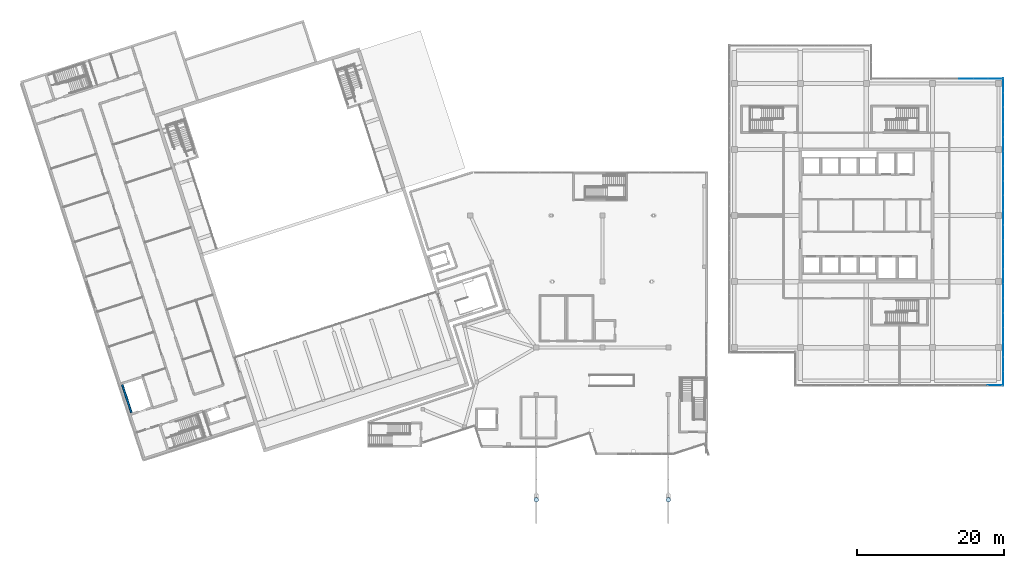
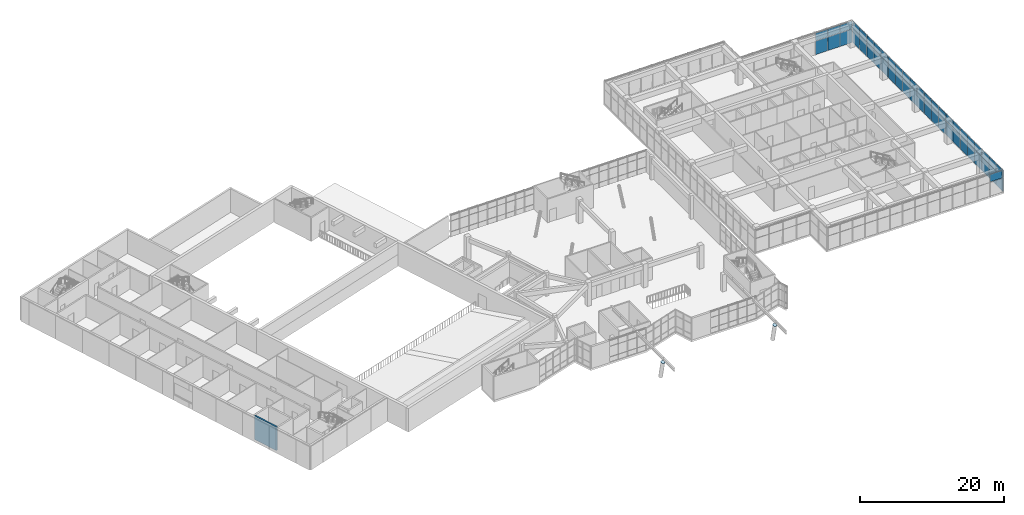
# One storey, part 52 of 65: 51 plates, 1 wall, 3 elements without a shape of their own.
"""IFC4 building model written with IfcOpenShell, lengths in metres."""

from ifc_helpers import new_model, si_unit, direction, frame, frame_2d, origin, origin_2d, place, context, subcontext, project, spatial, polyline, rectangle, outline, extrude, material, layer, layer_set, type_object, element, aggregate, save


model = new_model("IFC4")

# Units and contexts
model_context = context("Model", 3, precision=1e-05, world=origin(), true_north=direction((0.0, 1.0)))
body_context = subcontext(model_context, "Body", "Model", "MODEL_VIEW")
ifc_project = project(units=[si_unit("LENGTHUNIT", "METRE"), si_unit("AREAUNIT", "SQUARE_METRE"), si_unit("VOLUMEUNIT", "CUBIC_METRE"), si_unit("PLANEANGLEUNIT", "RADIAN"), si_unit("MASSUNIT", "GRAM", prefix="KILO")], contexts=[model_context])

# Site, building, storey
site_placement = place(None, origin())
site = spatial("IfcSite", under=ifc_project, at=site_placement, CompositionType="ELEMENT")
building_placement = place(site_placement, origin())
building = spatial("IfcBuilding", under=site, at=building_placement, Name="Tuart Plaza Theatre", CompositionType="ELEMENT")
storey_placement = place(building_placement, frame((0.0, 0.0, 9.5)))
storey = spatial("IfcBuildingStorey", under=building, at=storey_placement, Name="L02", CompositionType="ELEMENT", Elevation=9.5)

# Curtain wall, plate
ifc_material_1 = material(Name="Aluminium and glass", Category="aluminium")
ifc_layer_1 = layer(ifc_material_1, 0.10009765625)
ifc_layer_set_1 = layer_set([ifc_layer_1], Name="CURTAIN WALL 2000 module")
curtain_wall_type = type_object("IfcCurtainWallType", Name="CURTAIN WALL 2000 module", PredefinedType="NOTDEFINED", material=ifc_layer_set_1)
curtain_wall_1_placement = place(storey_placement, origin())
curtain_wall_1 = element("IfcCurtainWall", 1, at=curtain_wall_1_placement, inside=storey, type_object=curtain_wall_type, Name="CW68", PredefinedType="NOTDEFINED")
ifc_material_2 = material(Name="Glass", Category="glass")
ifc_layer_2 = layer(ifc_material_2, 0.028076171875)
ifc_layer_set_2 = layer_set([ifc_layer_2], Name="CURTAIN PANEL double glazed 28")
plate_type_1 = type_object("IfcPlateType", Name="CURTAIN PANEL double glazed 28", PredefinedType="CURTAIN_PANEL", material=ifc_layer_set_2)
plate_1_placement = place(storey_placement, frame((149.533935546875, 50.85009765625, 2.425048828125), z_axis=(0.0, 0.0, 1.0), x_axis=(1.0, 0.0, 0.0)))
plate_1 = element("IfcPlate", 2, at=plate_1_placement, type_object=plate_type_1, Name="CW68 panel 14.2", PredefinedType="CURTAIN_PANEL", context=body_context, shape_type="SweptSolid", body=[
    extrude(rectangle(XDim=1.93212890625, YDim=0.028076171875, at=origin_2d()), origin(), (0.0, 0.0, 1.0), 1.27490234375),
])
aggregate(curtain_wall_1, [plate_1])

# Curtain wall, plates
curtain_wall_2_placement = place(storey_placement, origin())
curtain_wall_2 = element("IfcCurtainWall", 3, at=curtain_wall_2_placement, inside=storey, type_object=curtain_wall_type, Name="CW69", PredefinedType="NOTDEFINED")
plate_2_placement = place(storey_placement, frame((150.64990234375, 51.762451171875, 0.0498046875), z_axis=(0.0, 0.0, 1.0), x_axis=(0.0, 1.0, 0.0)))
plate_2 = element("IfcPlate", 4, at=plate_2_placement, type_object=plate_type_1, Name="CW69 panel 1.1", PredefinedType="CURTAIN_PANEL", context=body_context, shape_type="SweptSolid", body=[
    extrude(rectangle(XDim=1.925048828125, YDim=0.028076171875, at=origin_2d()), origin(), (0.0, 0.0, 1.0), 2.324951171875),
])
plate_3_placement = place(storey_placement, frame((150.64990234375, 51.762451171875, 2.425048828125), z_axis=(0.0, 0.0, 1.0), x_axis=(0.0, 1.0, 0.0)))
plate_3 = element("IfcPlate", 5, at=plate_3_placement, type_object=plate_type_1, Name="CW69 panel 1.2", PredefinedType="CURTAIN_PANEL", context=body_context, shape_type="SweptSolid", body=[
    extrude(rectangle(XDim=1.925048828125, YDim=0.028076171875, at=origin_2d()), origin(), (0.0, 0.0, 1.0), 1.27490234375),
])
plate_4_placement = place(storey_placement, frame((150.64990234375, 53.75, 0.0498046875), z_axis=(0.0, 0.0, 1.0), x_axis=(0.0, 1.0, 0.0)))
plate_4 = element("IfcPlate", 6, at=plate_4_placement, type_object=plate_type_1, Name="CW69 panel 2.1", PredefinedType="CURTAIN_PANEL", context=body_context, shape_type="SweptSolid", body=[
    extrude(rectangle(XDim=1.949951171875, YDim=0.028076171875, at=origin_2d()), origin(), (0.0, 0.0, 1.0), 2.324951171875),
])
plate_5_placement = place(storey_placement, frame((150.64990234375, 53.75, 2.425048828125), z_axis=(0.0, 0.0, 1.0), x_axis=(0.0, 1.0, 0.0)))
plate_5 = element("IfcPlate", 7, at=plate_5_placement, type_object=plate_type_1, Name="CW69 panel 2.2", PredefinedType="CURTAIN_PANEL", context=body_context, shape_type="SweptSolid", body=[
    extrude(rectangle(XDim=1.949951171875, YDim=0.028076171875, at=origin_2d()), origin(), (0.0, 0.0, 1.0), 1.27490234375),
])
plate_6_placement = place(storey_placement, frame((150.64990234375, 55.75, 0.0498046875), z_axis=(0.0, 0.0, 1.0), x_axis=(0.0, 1.0, 0.0)))
plate_6 = element("IfcPlate", 8, at=plate_6_placement, type_object=plate_type_1, Name="CW69 panel 3.1", PredefinedType="CURTAIN_PANEL", context=body_context, shape_type="SweptSolid", body=[
    extrude(rectangle(XDim=1.949951171875, YDim=0.028076171875, at=origin_2d()), origin(), (0.0, 0.0, 1.0), 2.324951171875),
])
plate_7_placement = place(storey_placement, frame((150.64990234375, 55.75, 2.425048828125), z_axis=(0.0, 0.0, 1.0), x_axis=(0.0, 1.0, 0.0)))
plate_7 = element("IfcPlate", 9, at=plate_7_placement, type_object=plate_type_1, Name="CW69 panel 3.2", PredefinedType="CURTAIN_PANEL", context=body_context, shape_type="SweptSolid", body=[
    extrude(rectangle(XDim=1.949951171875, YDim=0.028076171875, at=origin_2d()), origin(), (0.0, 0.0, 1.0), 1.27490234375),
])
plate_8_placement = place(storey_placement, frame((150.64990234375, 57.75, 0.0498046875), z_axis=(0.0, 0.0, 1.0), x_axis=(0.0, 1.0, 0.0)))
plate_8 = element("IfcPlate", 10, at=plate_8_placement, type_object=plate_type_1, Name="CW69 panel 4.1", PredefinedType="CURTAIN_PANEL", context=body_context, shape_type="SweptSolid", body=[
    extrude(rectangle(XDim=1.949951171875, YDim=0.028076171875, at=origin_2d()), origin(), (0.0, 0.0, 1.0), 2.324951171875),
])
plate_9_placement = place(storey_placement, frame((150.64990234375, 57.75, 2.425048828125), z_axis=(0.0, 0.0, 1.0), x_axis=(0.0, 1.0, 0.0)))
plate_9 = element("IfcPlate", 11, at=plate_9_placement, type_object=plate_type_1, Name="CW69 panel 4.2", PredefinedType="CURTAIN_PANEL", context=body_context, shape_type="SweptSolid", body=[
    extrude(rectangle(XDim=1.949951171875, YDim=0.028076171875, at=origin_2d()), origin(), (0.0, 0.0, 1.0), 1.27490234375),
])
plate_10_placement = place(storey_placement, frame((150.64990234375, 59.75, 0.0498046875), z_axis=(0.0, 0.0, 1.0), x_axis=(0.0, 1.0, 0.0)))
plate_10 = element("IfcPlate", 12, at=plate_10_placement, type_object=plate_type_1, Name="CW69 panel 5.1", PredefinedType="CURTAIN_PANEL", context=body_context, shape_type="SweptSolid", body=[
    extrude(rectangle(XDim=1.949951171875, YDim=0.028076171875, at=origin_2d()), origin(), (0.0, 0.0, 1.0), 2.324951171875),
])
plate_11_placement = place(storey_placement, frame((150.64990234375, 59.75, 2.425048828125), z_axis=(0.0, 0.0, 1.0), x_axis=(0.0, 1.0, 0.0)))
plate_11 = element("IfcPlate", 13, at=plate_11_placement, type_object=plate_type_1, Name="CW69 panel 5.2", PredefinedType="CURTAIN_PANEL", context=body_context, shape_type="SweptSolid", body=[
    extrude(rectangle(XDim=1.949951171875, YDim=0.028076171875, at=origin_2d()), origin(), (0.0, 0.0, 1.0), 1.27490234375),
])
plate_12_placement = place(storey_placement, frame((150.64990234375, 61.75, 0.0498046875), z_axis=(0.0, 0.0, 1.0), x_axis=(0.0, 1.0, 0.0)))
plate_12 = element("IfcPlate", 14, at=plate_12_placement, type_object=plate_type_1, Name="CW69 panel 6.1", PredefinedType="CURTAIN_PANEL", context=body_context, shape_type="SweptSolid", body=[
    extrude(rectangle(XDim=1.949951171875, YDim=0.028076171875, at=origin_2d()), origin(), (0.0, 0.0, 1.0), 2.324951171875),
])
plate_13_placement = place(storey_placement, frame((150.64990234375, 61.75, 2.425048828125), z_axis=(0.0, 0.0, 1.0), x_axis=(0.0, 1.0, 0.0)))
plate_13 = element("IfcPlate", 15, at=plate_13_placement, type_object=plate_type_1, Name="CW69 panel 6.2", PredefinedType="CURTAIN_PANEL", context=body_context, shape_type="SweptSolid", body=[
    extrude(rectangle(XDim=1.949951171875, YDim=0.028076171875, at=origin_2d()), origin(), (0.0, 0.0, 1.0), 1.27490234375),
])
plate_14_placement = place(storey_placement, frame((150.64990234375, 63.75, 0.0498046875), z_axis=(0.0, 0.0, 1.0), x_axis=(0.0, 1.0, 0.0)))
plate_14 = element("IfcPlate", 16, at=plate_14_placement, type_object=plate_type_1, Name="CW69 panel 7.1", PredefinedType="CURTAIN_PANEL", context=body_context, shape_type="SweptSolid", body=[
    extrude(rectangle(XDim=1.949951171875, YDim=0.028076171875, at=origin_2d()), origin(), (0.0, 0.0, 1.0), 2.324951171875),
])
plate_15_placement = place(storey_placement, frame((150.64990234375, 63.75, 2.425048828125), z_axis=(0.0, 0.0, 1.0), x_axis=(0.0, 1.0, 0.0)))
plate_15 = element("IfcPlate", 17, at=plate_15_placement, type_object=plate_type_1, Name="CW69 panel 7.2", PredefinedType="CURTAIN_PANEL", context=body_context, shape_type="SweptSolid", body=[
    extrude(rectangle(XDim=1.949951171875, YDim=0.028076171875, at=origin_2d()), origin(), (0.0, 0.0, 1.0), 1.27490234375),
])
plate_16_placement = place(storey_placement, frame((150.64990234375, 65.75, 0.0498046875), z_axis=(0.0, 0.0, 1.0), x_axis=(0.0, 1.0, 0.0)))
plate_16 = element("IfcPlate", 18, at=plate_16_placement, type_object=plate_type_1, Name="CW69 panel 8.1", PredefinedType="CURTAIN_PANEL", context=body_context, shape_type="SweptSolid", body=[
    extrude(rectangle(XDim=1.949951171875, YDim=0.028076171875, at=origin_2d()), origin(), (0.0, 0.0, 1.0), 2.324951171875),
])
plate_17_placement = place(storey_placement, frame((150.64990234375, 65.75, 2.425048828125), z_axis=(0.0, 0.0, 1.0), x_axis=(0.0, 1.0, 0.0)))
plate_17 = element("IfcPlate", 19, at=plate_17_placement, type_object=plate_type_1, Name="CW69 panel 8.2", PredefinedType="CURTAIN_PANEL", context=body_context, shape_type="SweptSolid", body=[
    extrude(rectangle(XDim=1.949951171875, YDim=0.028076171875, at=origin_2d()), origin(), (0.0, 0.0, 1.0), 1.27490234375),
])
plate_18_placement = place(storey_placement, frame((150.64990234375, 67.75, 0.0498046875), z_axis=(0.0, 0.0, 1.0), x_axis=(0.0, 1.0, 0.0)))
plate_18 = element("IfcPlate", 20, at=plate_18_placement, type_object=plate_type_1, Name="CW69 panel 9.1", PredefinedType="CURTAIN_PANEL", context=body_context, shape_type="SweptSolid", body=[
    extrude(rectangle(XDim=1.949951171875, YDim=0.028076171875, at=origin_2d()), origin(), (0.0, 0.0, 1.0), 2.324951171875),
])
plate_19_placement = place(storey_placement, frame((150.64990234375, 67.75, 2.425048828125), z_axis=(0.0, 0.0, 1.0), x_axis=(0.0, 1.0, 0.0)))
plate_19 = element("IfcPlate", 21, at=plate_19_placement, type_object=plate_type_1, Name="CW69 panel 9.2", PredefinedType="CURTAIN_PANEL", context=body_context, shape_type="SweptSolid", body=[
    extrude(rectangle(XDim=1.949951171875, YDim=0.028076171875, at=origin_2d()), origin(), (0.0, 0.0, 1.0), 1.27490234375),
])
plate_20_placement = place(storey_placement, frame((150.64990234375, 69.75, 0.0498046875), z_axis=(0.0, 0.0, 1.0), x_axis=(0.0, 1.0, 0.0)))
plate_20 = element("IfcPlate", 22, at=plate_20_placement, type_object=plate_type_1, Name="CW69 panel 10.1", PredefinedType="CURTAIN_PANEL", context=body_context, shape_type="SweptSolid", body=[
    extrude(rectangle(XDim=1.949951171875, YDim=0.028076171875, at=origin_2d()), origin(), (0.0, 0.0, 1.0), 2.324951171875),
])
plate_21_placement = place(storey_placement, frame((150.64990234375, 69.75, 2.425048828125), z_axis=(0.0, 0.0, 1.0), x_axis=(0.0, 1.0, 0.0)))
plate_21 = element("IfcPlate", 23, at=plate_21_placement, type_object=plate_type_1, Name="CW69 panel 10.2", PredefinedType="CURTAIN_PANEL", context=body_context, shape_type="SweptSolid", body=[
    extrude(rectangle(XDim=1.949951171875, YDim=0.028076171875, at=origin_2d()), origin(), (0.0, 0.0, 1.0), 1.27490234375),
])
plate_22_placement = place(storey_placement, frame((150.64990234375, 71.75, 0.0498046875), z_axis=(0.0, 0.0, 1.0), x_axis=(0.0, 1.0, 0.0)))
plate_22 = element("IfcPlate", 24, at=plate_22_placement, type_object=plate_type_1, Name="CW69 panel 11.1", PredefinedType="CURTAIN_PANEL", context=body_context, shape_type="SweptSolid", body=[
    extrude(rectangle(XDim=1.949951171875, YDim=0.028076171875, at=origin_2d()), origin(), (0.0, 0.0, 1.0), 2.324951171875),
])
plate_23_placement = place(storey_placement, frame((150.64990234375, 71.75, 2.425048828125), z_axis=(0.0, 0.0, 1.0), x_axis=(0.0, 1.0, 0.0)))
plate_23 = element("IfcPlate", 25, at=plate_23_placement, type_object=plate_type_1, Name="CW69 panel 11.2", PredefinedType="CURTAIN_PANEL", context=body_context, shape_type="SweptSolid", body=[
    extrude(rectangle(XDim=1.949951171875, YDim=0.028076171875, at=origin_2d()), origin(), (0.0, 0.0, 1.0), 1.27490234375),
])
plate_24_placement = place(storey_placement, frame((150.64990234375, 73.75, 0.0498046875), z_axis=(0.0, 0.0, 1.0), x_axis=(0.0, 1.0, 0.0)))
plate_24 = element("IfcPlate", 26, at=plate_24_placement, type_object=plate_type_1, Name="CW69 panel 12.1", PredefinedType="CURTAIN_PANEL", context=body_context, shape_type="SweptSolid", body=[
    extrude(rectangle(XDim=1.949951171875, YDim=0.028076171875, at=origin_2d()), origin(), (0.0, 0.0, 1.0), 2.324951171875),
])
plate_25_placement = place(storey_placement, frame((150.64990234375, 73.75, 2.425048828125), z_axis=(0.0, 0.0, 1.0), x_axis=(0.0, 1.0, 0.0)))
plate_25 = element("IfcPlate", 27, at=plate_25_placement, type_object=plate_type_1, Name="CW69 panel 12.2", PredefinedType="CURTAIN_PANEL", context=body_context, shape_type="SweptSolid", body=[
    extrude(rectangle(XDim=1.949951171875, YDim=0.028076171875, at=origin_2d()), origin(), (0.0, 0.0, 1.0), 1.27490234375),
])
plate_26_placement = place(storey_placement, frame((150.64990234375, 75.75, 0.0498046875), z_axis=(0.0, 0.0, 1.0), x_axis=(0.0, 1.0, 0.0)))
plate_26 = element("IfcPlate", 28, at=plate_26_placement, type_object=plate_type_1, Name="CW69 panel 13.1", PredefinedType="CURTAIN_PANEL", context=body_context, shape_type="SweptSolid", body=[
    extrude(rectangle(XDim=1.949951171875, YDim=0.028076171875, at=origin_2d()), origin(), (0.0, 0.0, 1.0), 2.324951171875),
])
plate_27_placement = place(storey_placement, frame((150.64990234375, 75.75, 2.425048828125), z_axis=(0.0, 0.0, 1.0), x_axis=(0.0, 1.0, 0.0)))
plate_27 = element("IfcPlate", 29, at=plate_27_placement, type_object=plate_type_1, Name="CW69 panel 13.2", PredefinedType="CURTAIN_PANEL", context=body_context, shape_type="SweptSolid", body=[
    extrude(rectangle(XDim=1.949951171875, YDim=0.028076171875, at=origin_2d()), origin(), (0.0, 0.0, 1.0), 1.27490234375),
])
plate_28_placement = place(storey_placement, frame((150.64990234375, 77.75, 0.0498046875), z_axis=(0.0, 0.0, 1.0), x_axis=(0.0, 1.0, 0.0)))
plate_28 = element("IfcPlate", 30, at=plate_28_placement, type_object=plate_type_1, Name="CW69 panel 14.1", PredefinedType="CURTAIN_PANEL", context=body_context, shape_type="SweptSolid", body=[
    extrude(rectangle(XDim=1.949951171875, YDim=0.028076171875, at=origin_2d()), origin(), (0.0, 0.0, 1.0), 2.324951171875),
])
plate_29_placement = place(storey_placement, frame((150.64990234375, 77.75, 2.425048828125), z_axis=(0.0, 0.0, 1.0), x_axis=(0.0, 1.0, 0.0)))
plate_29 = element("IfcPlate", 31, at=plate_29_placement, type_object=plate_type_1, Name="CW69 panel 14.2", PredefinedType="CURTAIN_PANEL", context=body_context, shape_type="SweptSolid", body=[
    extrude(rectangle(XDim=1.949951171875, YDim=0.028076171875, at=origin_2d()), origin(), (0.0, 0.0, 1.0), 1.27490234375),
])
plate_30_placement = place(storey_placement, frame((150.64990234375, 79.75, 0.0498046875), z_axis=(0.0, 0.0, 1.0), x_axis=(0.0, 1.0, 0.0)))
plate_30 = element("IfcPlate", 32, at=plate_30_placement, type_object=plate_type_1, Name="CW69 panel 15.1", PredefinedType="CURTAIN_PANEL", context=body_context, shape_type="SweptSolid", body=[
    extrude(rectangle(XDim=1.949951171875, YDim=0.028076171875, at=origin_2d()), origin(), (0.0, 0.0, 1.0), 2.324951171875),
])
plate_31_placement = place(storey_placement, frame((150.64990234375, 79.75, 2.425048828125), z_axis=(0.0, 0.0, 1.0), x_axis=(0.0, 1.0, 0.0)))
plate_31 = element("IfcPlate", 33, at=plate_31_placement, type_object=plate_type_1, Name="CW69 panel 15.2", PredefinedType="CURTAIN_PANEL", context=body_context, shape_type="SweptSolid", body=[
    extrude(rectangle(XDim=1.949951171875, YDim=0.028076171875, at=origin_2d()), origin(), (0.0, 0.0, 1.0), 1.27490234375),
])
plate_32_placement = place(storey_placement, frame((150.64990234375, 81.75, 0.0498046875), z_axis=(0.0, 0.0, 1.0), x_axis=(0.0, 1.0, 0.0)))
plate_32 = element("IfcPlate", 34, at=plate_32_placement, type_object=plate_type_1, Name="CW69 panel 16.1", PredefinedType="CURTAIN_PANEL", context=body_context, shape_type="SweptSolid", body=[
    extrude(rectangle(XDim=1.949951171875, YDim=0.028076171875, at=origin_2d()), origin(), (0.0, 0.0, 1.0), 2.324951171875),
])
plate_33_placement = place(storey_placement, frame((150.64990234375, 81.75, 2.425048828125), z_axis=(0.0, 0.0, 1.0), x_axis=(0.0, 1.0, 0.0)))
plate_33 = element("IfcPlate", 35, at=plate_33_placement, type_object=plate_type_1, Name="CW69 panel 16.2", PredefinedType="CURTAIN_PANEL", context=body_context, shape_type="SweptSolid", body=[
    extrude(rectangle(XDim=1.949951171875, YDim=0.028076171875, at=origin_2d()), origin(), (0.0, 0.0, 1.0), 1.27490234375),
])
plate_34_placement = place(storey_placement, frame((150.64990234375, 83.75, 0.0498046875), z_axis=(0.0, 0.0, 1.0), x_axis=(0.0, 1.0, 0.0)))
plate_34 = element("IfcPlate", 36, at=plate_34_placement, type_object=plate_type_1, Name="CW69 panel 17.1", PredefinedType="CURTAIN_PANEL", context=body_context, shape_type="SweptSolid", body=[
    extrude(rectangle(XDim=1.949951171875, YDim=0.028076171875, at=origin_2d()), origin(), (0.0, 0.0, 1.0), 2.324951171875),
])
plate_35_placement = place(storey_placement, frame((150.64990234375, 83.75, 2.425048828125), z_axis=(0.0, 0.0, 1.0), x_axis=(0.0, 1.0, 0.0)))
plate_35 = element("IfcPlate", 37, at=plate_35_placement, type_object=plate_type_1, Name="CW69 panel 17.2", PredefinedType="CURTAIN_PANEL", context=body_context, shape_type="SweptSolid", body=[
    extrude(rectangle(XDim=1.949951171875, YDim=0.028076171875, at=origin_2d()), origin(), (0.0, 0.0, 1.0), 1.27490234375),
])
plate_36_placement = place(storey_placement, frame((150.64990234375, 85.75, 0.0498046875), z_axis=(0.0, 0.0, 1.0), x_axis=(0.0, 1.0, 0.0)))
plate_36 = element("IfcPlate", 38, at=plate_36_placement, type_object=plate_type_1, Name="CW69 panel 18.1", PredefinedType="CURTAIN_PANEL", context=body_context, shape_type="SweptSolid", body=[
    extrude(rectangle(XDim=1.949951171875, YDim=0.028076171875, at=origin_2d()), origin(), (0.0, 0.0, 1.0), 2.324951171875),
])
plate_37_placement = place(storey_placement, frame((150.64990234375, 85.75, 2.425048828125), z_axis=(0.0, 0.0, 1.0), x_axis=(0.0, 1.0, 0.0)))
plate_37 = element("IfcPlate", 39, at=plate_37_placement, type_object=plate_type_1, Name="CW69 panel 18.2", PredefinedType="CURTAIN_PANEL", context=body_context, shape_type="SweptSolid", body=[
    extrude(rectangle(XDim=1.949951171875, YDim=0.028076171875, at=origin_2d()), origin(), (0.0, 0.0, 1.0), 1.27490234375),
])
plate_38_placement = place(storey_placement, frame((150.64990234375, 87.75, 0.0498046875), z_axis=(0.0, 0.0, 1.0), x_axis=(0.0, 1.0, 0.0)))
plate_38 = element("IfcPlate", 40, at=plate_38_placement, type_object=plate_type_1, Name="CW69 panel 19.1", PredefinedType="CURTAIN_PANEL", context=body_context, shape_type="SweptSolid", body=[
    extrude(rectangle(XDim=1.949951171875, YDim=0.028076171875, at=origin_2d()), origin(), (0.0, 0.0, 1.0), 2.324951171875),
])
plate_39_placement = place(storey_placement, frame((150.64990234375, 87.75, 2.425048828125), z_axis=(0.0, 0.0, 1.0), x_axis=(0.0, 1.0, 0.0)))
plate_39 = element("IfcPlate", 41, at=plate_39_placement, type_object=plate_type_1, Name="CW69 panel 19.2", PredefinedType="CURTAIN_PANEL", context=body_context, shape_type="SweptSolid", body=[
    extrude(rectangle(XDim=1.949951171875, YDim=0.028076171875, at=origin_2d()), origin(), (0.0, 0.0, 1.0), 1.27490234375),
])
plate_40_placement = place(storey_placement, frame((150.64990234375, 89.75, 0.0498046875), z_axis=(0.0, 0.0, 1.0), x_axis=(0.0, 1.0, 0.0)))
plate_40 = element("IfcPlate", 42, at=plate_40_placement, type_object=plate_type_1, Name="CW69 panel 20.1", PredefinedType="CURTAIN_PANEL", context=body_context, shape_type="SweptSolid", body=[
    extrude(rectangle(XDim=1.949951171875, YDim=0.028076171875, at=origin_2d()), origin(), (0.0, 0.0, 1.0), 2.324951171875),
])
plate_41_placement = place(storey_placement, frame((150.64990234375, 89.75, 2.425048828125), z_axis=(0.0, 0.0, 1.0), x_axis=(0.0, 1.0, 0.0)))
plate_41 = element("IfcPlate", 43, at=plate_41_placement, type_object=plate_type_1, Name="CW69 panel 20.2", PredefinedType="CURTAIN_PANEL", context=body_context, shape_type="SweptSolid", body=[
    extrude(rectangle(XDim=1.949951171875, YDim=0.028076171875, at=origin_2d()), origin(), (0.0, 0.0, 1.0), 1.27490234375),
])
plate_42_placement = place(storey_placement, frame((150.64990234375, 91.737548828125, 0.0498046875), z_axis=(0.0, 0.0, 1.0), x_axis=(0.0, 1.0, 0.0)))
plate_42 = element("IfcPlate", 44, at=plate_42_placement, type_object=plate_type_1, Name="CW69 panel 21.1", PredefinedType="CURTAIN_PANEL", context=body_context, shape_type="SweptSolid", body=[
    extrude(rectangle(XDim=1.925048828125, YDim=0.028076171875, at=origin_2d()), origin(), (0.0, 0.0, 1.0), 2.324951171875),
])
plate_43_placement = place(storey_placement, frame((150.64990234375, 91.737548828125, 2.425048828125), z_axis=(0.0, 0.0, 1.0), x_axis=(0.0, 1.0, 0.0)))
plate_43 = element("IfcPlate", 45, at=plate_43_placement, type_object=plate_type_1, Name="CW69 panel 21.2", PredefinedType="CURTAIN_PANEL", context=body_context, shape_type="SweptSolid", body=[
    extrude(rectangle(XDim=1.925048828125, YDim=0.028076171875, at=origin_2d()), origin(), (0.0, 0.0, 1.0), 1.27490234375),
])
aggregate(curtain_wall_2, [plate_2, plate_3, plate_4, plate_5, plate_6, plate_7, plate_8, plate_9, plate_10, plate_11, plate_12, plate_13, plate_14, plate_15, plate_16, plate_17, plate_18, plate_19, plate_20, plate_21, plate_22, plate_23, plate_24, plate_25, plate_26, plate_27, plate_28, plate_29, plate_30, plate_31, plate_32, plate_33, plate_34, plate_35, plate_36, plate_37, plate_38, plate_39, plate_40, plate_41, plate_42, plate_43])

curtain_wall_3_placement = place(storey_placement, origin())
curtain_wall_3 = element("IfcCurtainWall", 46, at=curtain_wall_3_placement, inside=storey, type_object=curtain_wall_type, Name="CW70", PredefinedType="NOTDEFINED")
plate_44_placement = place(storey_placement, frame((149.548583984375, 92.64990234375, 0.0498046875), z_axis=(0.0, 0.0, 1.0), x_axis=(-1.0, 0.0, 0.0)))
plate_44 = element("IfcPlate", 47, at=plate_44_placement, type_object=plate_type_1, Name="CW70 panel 1.1", PredefinedType="CURTAIN_PANEL", context=body_context, shape_type="SweptSolid", body=[
    extrude(rectangle(XDim=1.90283203125, YDim=0.028076171875, at=origin_2d()), origin(), (0.0, 0.0, 1.0), 2.324951171875),
])
plate_45_placement = place(storey_placement, frame((149.548583984375, 92.64990234375, 2.425048828125), z_axis=(0.0, 0.0, 1.0), x_axis=(-1.0, 0.0, 0.0)))
plate_45 = element("IfcPlate", 48, at=plate_45_placement, type_object=plate_type_1, Name="CW70 panel 1.2", PredefinedType="CURTAIN_PANEL", context=body_context, shape_type="SweptSolid", body=[
    extrude(rectangle(XDim=1.90283203125, YDim=0.028076171875, at=origin_2d()), origin(), (0.0, 0.0, 1.0), 1.27490234375),
])
plate_46_placement = place(storey_placement, frame((147.583251953125, 92.64990234375, 0.0498046875), z_axis=(0.0, 0.0, 1.0), x_axis=(-1.0, 0.0, 0.0)))
plate_46 = element("IfcPlate", 49, at=plate_46_placement, type_object=plate_type_1, Name="CW70 panel 2.1", PredefinedType="CURTAIN_PANEL", context=body_context, shape_type="SweptSolid", body=[
    extrude(rectangle(XDim=1.927734375, YDim=0.028076171875, at=origin_2d()), origin(), (0.0, 0.0, 1.0), 2.324951171875),
])
plate_47_placement = place(storey_placement, frame((147.583251953125, 92.64990234375, 2.425048828125), z_axis=(0.0, 0.0, 1.0), x_axis=(-1.0, 0.0, 0.0)))
plate_47 = element("IfcPlate", 50, at=plate_47_placement, type_object=plate_type_1, Name="CW70 panel 2.2", PredefinedType="CURTAIN_PANEL", context=body_context, shape_type="SweptSolid", body=[
    extrude(rectangle(XDim=1.927734375, YDim=0.028076171875, at=origin_2d()), origin(), (0.0, 0.0, 1.0), 1.27490234375),
])
plate_48_placement = place(storey_placement, frame((145.60546875, 92.64990234375, 0.0498046875), z_axis=(0.0, 0.0, 1.0), x_axis=(-1.0, 0.0, 0.0)))
plate_48 = element("IfcPlate", 51, at=plate_48_placement, type_object=plate_type_1, Name="CW70 panel 3.1", PredefinedType="CURTAIN_PANEL", context=body_context, shape_type="SweptSolid", body=[
    extrude(rectangle(XDim=1.927734375, YDim=0.028076171875, at=origin_2d()), origin(), (0.0, 0.0, 1.0), 2.324951171875),
])
plate_49_placement = place(storey_placement, frame((145.60546875, 92.64990234375, 2.425048828125), z_axis=(0.0, 0.0, 1.0), x_axis=(-1.0, 0.0, 0.0)))
plate_49 = element("IfcPlate", 52, at=plate_49_placement, type_object=plate_type_1, Name="CW70 panel 3.2", PredefinedType="CURTAIN_PANEL", context=body_context, shape_type="SweptSolid", body=[
    extrude(rectangle(XDim=1.927734375, YDim=0.028076171875, at=origin_2d()), origin(), (0.0, 0.0, 1.0), 1.27490234375),
])
aggregate(curtain_wall_3, [plate_44, plate_45, plate_46, plate_47, plate_48, plate_49])

# Plates
ifc_material_3 = material(Name="Steel Grade C350L0", Category="steel")
ifc_layer_3 = layer(ifc_material_3, 0.01611328125)
ifc_layer_set_3 = layer_set([ifc_layer_3], Name="PLATE End cap 16 Steel Grade C350L0")
plate_type_2 = type_object("IfcPlateType", Name="PLATE End cap 16 Steel Grade C350L0", PredefinedType="SHEET", material=ifc_layer_set_3)
for number, where, z_axis, x_axis, name in (
    (53, (87.304931640625, 35.255615234375, 2.849365234375), (0.0, -0.216919884093, 0.976189409841), (-0.194759678075, 0.957496350668, 0.212766083419), "EP49"),
    (54, (105.304931640625, 35.255615234375, 2.849365234375), (0.0, -0.216919884093, 0.976189409841), (-0.194759678075, 0.957496350668, 0.212766083419), "EP50"),
):
    element("IfcPlate", number, at=place(storey_placement, frame(where, z_axis=z_axis, x_axis=x_axis)), inside=storey, type_object=plate_type_2, Name=name, PredefinedType="SHEET", context=body_context, shape_type="SweptSolid", body=[
        extrude(outline(polyline([(0.0, 0.0), (0.11908706978874198, -1.951563910473908e-18), (0.22911437519983327, 0.04560654694242271), (0.3131499965666817, 0.1297275839441695), (0.35865722518009746, 0.23966910051962273), (0.3586066011174868, 0.35865667281265107), (0.31308546687004435, 0.46850275085637505), (0.22882958370428405, 0.5526865450925266), (0.11877677632626696, 0.5981850041772666), (-2.4584860403041586e-05, 0.5981282733222874), (-0.1100518902714943, 0.5525217263798646), (-0.19408751163834276, 0.4684006893781178), (-0.23964668509634324, 0.3584694870719014), (-0.2395441161891479, 0.23947160050963626), (-0.19402298194170542, 0.12962552246591227), (-0.10976709877594512, 0.045441728229760725), (0.0, 0.0)])), origin(), (0.0, 0.0, -1.0), 0.01611328125),
    ])

# Wall
ifc_material_4 = material(Name="Concrete N40 (40 MPa)", Category="concrete")
ifc_layer_4 = layer(ifc_material_4, 0.25)
ifc_layer_set_4 = layer_set([ifc_layer_4], Name="SHEAR WALL RC250 FRL 120/120/120")
wall_type = type_object("IfcWallType", Name="SHEAR WALL RC250 FRL 120/120/120", PredefinedType="SHEAR", material=ifc_layer_set_4)
wall_placement = place(storey_placement, frame((30.54833984375, 50.978515625, 0.0), z_axis=(0.0, 0.0, 1.0), x_axis=(0.309055103076, -0.951044133184, 0.0)))
element("IfcWall", 55, at=wall_placement, inside=storey, type_object=wall_type, Name="W215", PredefinedType="SHEAR", context=body_context, shape_type="SweptSolid", body=[
    extrude(rectangle(XDim=4.099853515625, YDim=0.25, at=frame_2d((2.0498046875, 0.0))), origin(), (0.0, 0.0, 1.0), 4.0),
])

save(model, "model.ifc")
